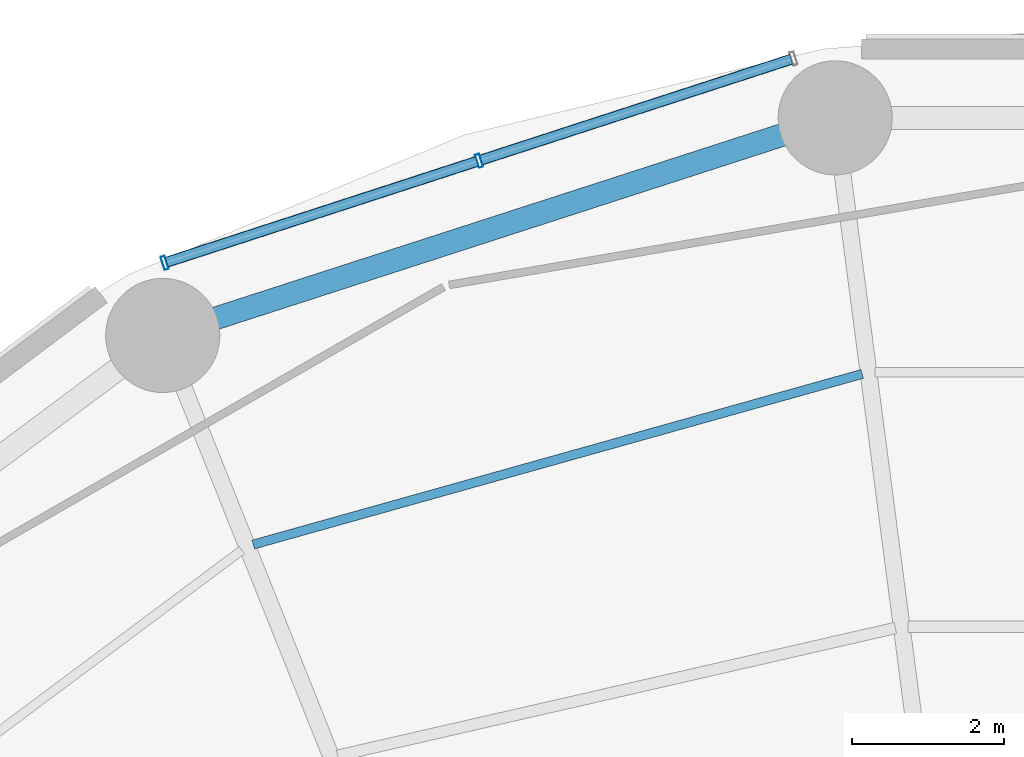
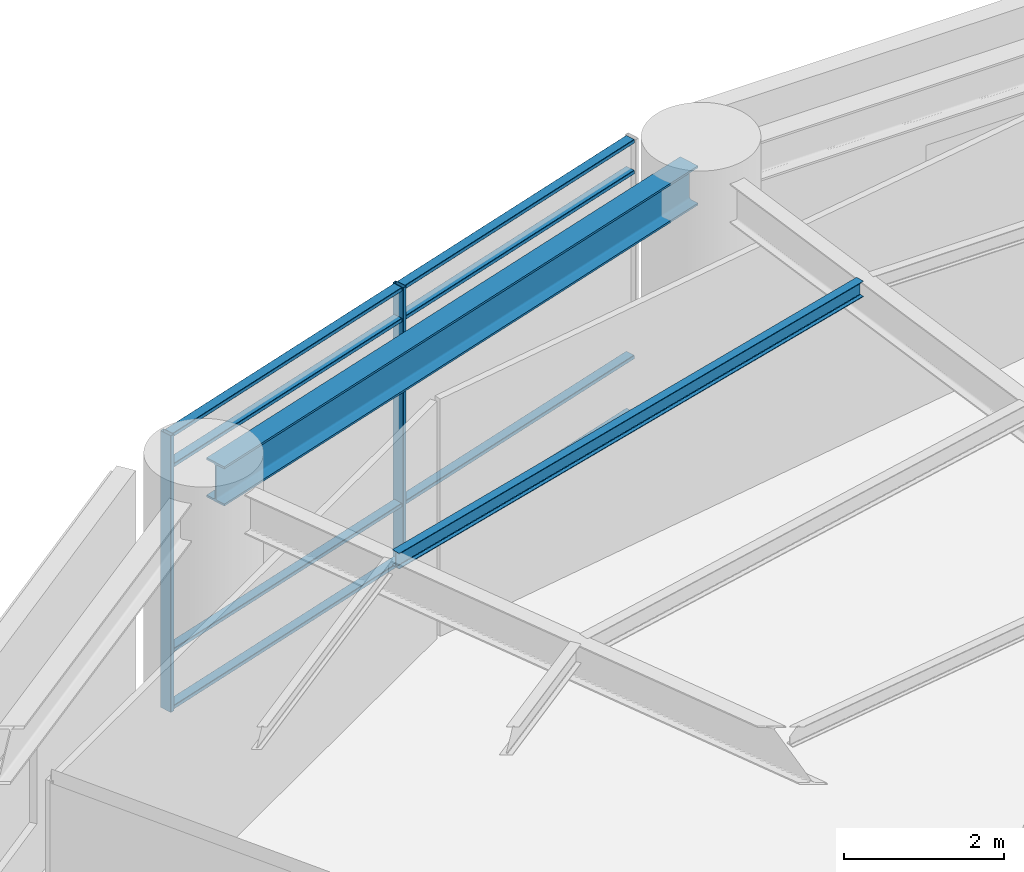
# One storey, part 26 of 46: 10 members, 2 beams, 1 element without a shape of its own.
"""IFC4 building model written with IfcOpenShell, lengths in metres."""

from ifc_helpers import new_model, si_unit, direction, frame, origin, origin_2d, place, context, subcontext, project, spatial, hollow_rectangle, i_section, extrude, material, layer, layer_set, material_profile, profile_set, type_object, element, aggregate, save


model = new_model("IFC4")

# Units and contexts
model_context = context("Model", 3, precision=1e-05, world=origin(), true_north=direction((0.0, 1.0)))
body_context = subcontext(model_context, "Body", "Model", "MODEL_VIEW")
ifc_project = project(units=[si_unit("LENGTHUNIT", "METRE"), si_unit("AREAUNIT", "SQUARE_METRE"), si_unit("VOLUMEUNIT", "CUBIC_METRE"), si_unit("PLANEANGLEUNIT", "RADIAN"), si_unit("MASSUNIT", "GRAM", prefix="KILO")], contexts=[model_context])

# Site, building, storey
site_placement = place(None, origin())
site = spatial("IfcSite", under=ifc_project, at=site_placement, CompositionType="ELEMENT")
building_placement = place(site_placement, origin())
building = spatial("IfcBuilding", under=site, at=building_placement, Name="Kelanora Arch Commons", CompositionType="ELEMENT")
storey_placement = place(building_placement, frame((0.0, 0.0, 18.0)))
storey = spatial("IfcBuildingStorey", under=building, at=storey_placement, Name="L04", CompositionType="ELEMENT", Elevation=18.0)

# Beams
ifc_material_1 = material(Name="Steel S355", Category="steel")
ifc_material_profile_1 = material_profile(ifc_material_1, i_section(OverallWidth=0.1201171875, OverallDepth=0.239990234375, WebThickness=0.006103515625, FlangeThickness=0.009765625, FilletRadius=0.014892578125, at=origin_2d()), Name="IPE240")
ifc_profile_set_1 = profile_set([ifc_material_profile_1], Name="Steel S355")
beam_type_1 = type_object("IfcBeamType", Name="BM-JST-02", PredefinedType="JOIST", material=ifc_profile_set_1)
beam_1_placement = place(storey_placement, frame((69.652099609375, 78.348388671875, 4.1201171875), z_axis=(-0.962914880978, -0.269805359456, 0.0), x_axis=(0.269805359456, -0.962914880978, 0.0)))
element("IfcBeam", 1, at=beam_1_placement, inside=storey, type_object=beam_type_1, Name="Secondary Chord Joist BJC-10 L04", PredefinedType="JOIST", context=body_context, shape_type="SweptSolid", body=[
    extrude(i_section(OverallWidth=0.1201171875, OverallDepth=0.239990234375, WebThickness=0.006103515625, FlangeThickness=0.009765625, FilletRadius=0.014892578125, at=origin_2d()), origin(), (0.0, 0.0, 1.0), 8.310302734375),
])
ifc_material_profile_2 = material_profile(ifc_material_1, i_section(OverallWidth=0.300048828125, OverallDepth=0.60009765625, WebThickness=0.015380859375, FlangeThickness=0.030029296875, FilletRadius=0.027099609375, at=origin_2d()), Name="HEB600")
ifc_profile_set_2 = profile_set([ifc_material_profile_2], Name="Steel S355")
beam_type_2 = type_object("IfcBeamType", Name="BM-SPN-Z1", PredefinedType="SPANDREL", material=ifc_profile_set_2)
beam_2_placement = place(storey_placement, frame((69.08837890625, 81.646484375, 3.93994140625), z_axis=(-0.951411479564, -0.307922387224, 0.0), x_axis=(0.307922387224, -0.951411479564, 0.0)))
element("IfcBeam", 2, at=beam_2_placement, inside=storey, type_object=beam_type_2, Name="Perimeter Spandrel Beam BS-10 L04", PredefinedType="SPANDREL", context=body_context, shape_type="SweptSolid", body=[
    extrude(i_section(OverallWidth=0.300048828125, OverallDepth=0.60009765625, WebThickness=0.015380859375, FlangeThickness=0.030029296875, FilletRadius=0.027099609375, at=origin_2d()), origin(), (0.0, 0.0, 1.0), 8.84912109375),
])

# Curtain wall, members
ifc_material_2 = material(Name="Terracotta ceramic-fritted low-E glass and aluminium", Category="masonry")
ifc_layer = layer(ifc_material_2, 0.2099609375)
ifc_layer_set = layer_set([ifc_layer], Name="Terracotta ceramic-fritted low-E glass and aluminium")
curtain_wall_type = type_object("IfcCurtainWallType", Name="CW-SYS-04", PredefinedType="NOTDEFINED", material=ifc_layer_set)
curtain_wall_placement = place(storey_placement, origin())
curtain_wall = element("IfcCurtainWall", 3, at=curtain_wall_placement, inside=storey, type_object=curtain_wall_type, Name="Unitised Curtain Wall L04-B05", PredefinedType="NOTDEFINED")
ifc_material_3 = material(Name="Powder-coated aluminium terracotta", Category="masonry")
ifc_material_profile_3 = material_profile(ifc_material_3, hollow_rectangle(XDim=0.179931640625, YDim=0.06005859375, WallThickness=0.0048828125, InnerFilletRadius=0.0048828125, OuterFilletRadius=0.010009765625, at=origin_2d()), Name="CWM180x60")
ifc_profile_set_3 = profile_set([ifc_material_profile_3], Name="Powder-coated aluminium terracotta")
member_type_1 = type_object("IfcMemberType", Name="CWM-HVY", PredefinedType="MULLION", material=ifc_profile_set_3)
member_1_placement = place(storey_placement, frame((64.61669921875, 81.15087890625, 0.0), z_axis=(0.0, 0.0, 1.0), x_axis=(0.309069531911, -0.951039444211, 0.0)))
member_1 = element("IfcMember", 4, at=member_1_placement, type_object=member_type_1, Name="CW-04 mullion 2", PredefinedType="MULLION", context=body_context, shape_type="SweptSolid", body=[
    extrude(hollow_rectangle(XDim=0.179931640625, YDim=0.06005859375, WallThickness=0.0048828125, InnerFilletRadius=0.0048828125, OuterFilletRadius=0.010009765625, at=origin_2d()), origin(), (0.0, 0.0, 1.0), 4.22509765625),
])
member_2_placement = place(storey_placement, frame((60.48486328125, 79.80810546875, 0.0), z_axis=(0.0, 0.0, 1.0), x_axis=(0.309069531911, -0.951039444211, 0.0)))
member_2 = element("IfcMember", 5, at=member_2_placement, type_object=member_type_1, Name="CW-04 mullion 3", PredefinedType="MULLION", context=body_context, shape_type="SweptSolid", body=[
    extrude(hollow_rectangle(XDim=0.179931640625, YDim=0.06005859375, WallThickness=0.0048828125, InnerFilletRadius=0.0048828125, OuterFilletRadius=0.010009765625, at=origin_2d()), origin(), (0.0, 0.0, 1.0), 4.22509765625),
])
ifc_material_profile_4 = material_profile(ifc_material_3, hollow_rectangle(XDim=0.139892578125, YDim=0.06005859375, WallThickness=0.0048828125, InnerFilletRadius=0.0048828125, OuterFilletRadius=0.010009765625, at=origin_2d()), Name="CWT140x60")
ifc_profile_set_4 = profile_set([ifc_material_profile_4], Name="Powder-coated aluminium terracotta")
member_type_2 = type_object("IfcMemberType", Name="CWT-HVY", PredefinedType="USERDEFINED", material=ifc_profile_set_4)
member_3_placement = place(storey_placement, frame((68.719970703125, 82.484375, 0.030029296875), z_axis=(-0.951038256166, -0.309073187624, 0.0), x_axis=(0.309073187624, -0.951038256166, 0.0)))
member_3 = element("IfcMember", 6, at=member_3_placement, type_object=member_type_2, Name="CW-04 transom 1.1", ObjectType="TRANSOM", PredefinedType="USERDEFINED", context=body_context, shape_type="SweptSolid", body=[
    extrude(hollow_rectangle(XDim=0.139892578125, YDim=0.06005859375, WallThickness=0.0048828125, InnerFilletRadius=0.0048828125, OuterFilletRadius=0.010009765625, at=origin_2d()), origin(), (0.0, 0.0, 1.0), 4.284423828125),
])
member_4_placement = place(storey_placement, frame((68.719970703125, 82.484375, 0.89990234375), z_axis=(-0.951038256166, -0.309073187624, 0.0), x_axis=(0.309073187624, -0.951038256166, 0.0)))
member_4 = element("IfcMember", 7, at=member_4_placement, type_object=member_type_2, Name="CW-04 transom 1.2", ObjectType="TRANSOM", PredefinedType="USERDEFINED", context=body_context, shape_type="SweptSolid", body=[
    extrude(hollow_rectangle(XDim=0.139892578125, YDim=0.06005859375, WallThickness=0.0048828125, InnerFilletRadius=0.0048828125, OuterFilletRadius=0.010009765625, at=origin_2d()), origin(), (0.0, 0.0, 1.0), 4.284423828125),
])
member_5_placement = place(storey_placement, frame((68.719970703125, 82.484375, 3.72509765625), z_axis=(-0.951038256166, -0.309073187624, 0.0), x_axis=(0.309073187624, -0.951038256166, 0.0)))
member_5 = element("IfcMember", 8, at=member_5_placement, type_object=member_type_2, Name="CW-04 transom 1.3", ObjectType="TRANSOM", PredefinedType="USERDEFINED", context=body_context, shape_type="SweptSolid", body=[
    extrude(hollow_rectangle(XDim=0.139892578125, YDim=0.06005859375, WallThickness=0.0048828125, InnerFilletRadius=0.0048828125, OuterFilletRadius=0.010009765625, at=origin_2d()), origin(), (0.0, 0.0, 1.0), 4.284423828125),
])
member_6_placement = place(storey_placement, frame((68.719970703125, 82.484375, 4.195068359375), z_axis=(-0.951038256166, -0.309073187624, 0.0), x_axis=(0.309073187624, -0.951038256166, 0.0)))
member_6 = element("IfcMember", 9, at=member_6_placement, type_object=member_type_2, Name="CW-04 transom 1.4", ObjectType="TRANSOM", PredefinedType="USERDEFINED", context=body_context, shape_type="SweptSolid", body=[
    extrude(hollow_rectangle(XDim=0.139892578125, YDim=0.06005859375, WallThickness=0.0048828125, InnerFilletRadius=0.0048828125, OuterFilletRadius=0.010009765625, at=origin_2d()), origin(), (0.0, 0.0, 1.0), 4.284423828125),
])
member_7_placement = place(storey_placement, frame((64.588134765625, 81.1416015625, 0.030029296875), z_axis=(-0.951038256166, -0.309073187624, 0.0), x_axis=(0.309073187624, -0.951038256166, 0.0)))
member_7 = element("IfcMember", 10, at=member_7_placement, type_object=member_type_2, Name="CW-04 transom 2.1", ObjectType="TRANSOM", PredefinedType="USERDEFINED", context=body_context, shape_type="SweptSolid", body=[
    extrude(hollow_rectangle(XDim=0.139892578125, YDim=0.06005859375, WallThickness=0.0048828125, InnerFilletRadius=0.0048828125, OuterFilletRadius=0.010009765625, at=origin_2d()), origin(), (0.0, 0.0, 1.0), 4.284423828125),
])
member_8_placement = place(storey_placement, frame((64.588134765625, 81.1416015625, 0.89990234375), z_axis=(-0.951038256166, -0.309073187624, 0.0), x_axis=(0.309073187624, -0.951038256166, 0.0)))
member_8 = element("IfcMember", 11, at=member_8_placement, type_object=member_type_2, Name="CW-04 transom 2.2", ObjectType="TRANSOM", PredefinedType="USERDEFINED", context=body_context, shape_type="SweptSolid", body=[
    extrude(hollow_rectangle(XDim=0.139892578125, YDim=0.06005859375, WallThickness=0.0048828125, InnerFilletRadius=0.0048828125, OuterFilletRadius=0.010009765625, at=origin_2d()), origin(), (0.0, 0.0, 1.0), 4.284423828125),
])
member_9_placement = place(storey_placement, frame((64.588134765625, 81.1416015625, 3.72509765625), z_axis=(-0.951038256166, -0.309073187624, 0.0), x_axis=(0.309073187624, -0.951038256166, 0.0)))
member_9 = element("IfcMember", 12, at=member_9_placement, type_object=member_type_2, Name="CW-04 transom 2.3", ObjectType="TRANSOM", PredefinedType="USERDEFINED", context=body_context, shape_type="SweptSolid", body=[
    extrude(hollow_rectangle(XDim=0.139892578125, YDim=0.06005859375, WallThickness=0.0048828125, InnerFilletRadius=0.0048828125, OuterFilletRadius=0.010009765625, at=origin_2d()), origin(), (0.0, 0.0, 1.0), 4.284423828125),
])
member_10_placement = place(storey_placement, frame((64.588134765625, 81.1416015625, 4.195068359375), z_axis=(-0.951038256166, -0.309073187624, 0.0), x_axis=(0.309073187624, -0.951038256166, 0.0)))
member_10 = element("IfcMember", 13, at=member_10_placement, type_object=member_type_2, Name="CW-04 transom 2.4", ObjectType="TRANSOM", PredefinedType="USERDEFINED", context=body_context, shape_type="SweptSolid", body=[
    extrude(hollow_rectangle(XDim=0.139892578125, YDim=0.06005859375, WallThickness=0.0048828125, InnerFilletRadius=0.0048828125, OuterFilletRadius=0.010009765625, at=origin_2d()), origin(), (0.0, 0.0, 1.0), 4.284423828125),
])
aggregate(curtain_wall, [member_1, member_2, member_3, member_4, member_5, member_6, member_7, member_8, member_9, member_10])

save(model, "model.ifc")
